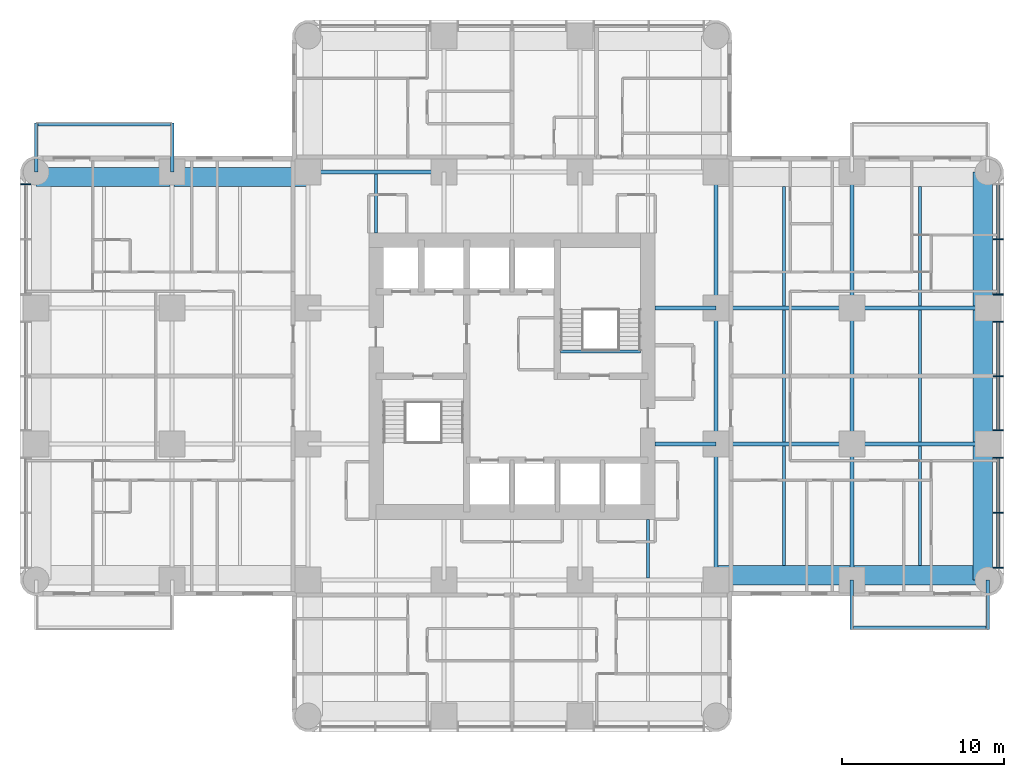
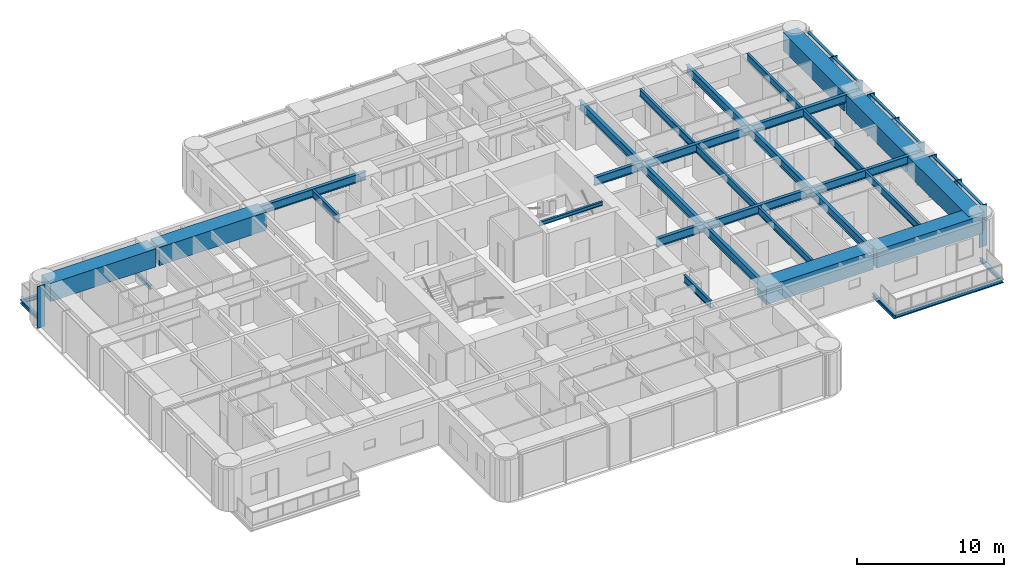
# One storey, part 3 of 15: 35 beams, 15 members, 2 elements without a shape of their own.
"""IFC4 building model written with IfcOpenShell, lengths in metres."""

from ifc_helpers import new_model, si_unit, direction, frame, origin, origin_2d, place, context, subcontext, project, spatial, rectangle, i_section, extrude, material, material_profile, profile_set, type_object, element, aggregate, save


model = new_model("IFC4")

# Units and contexts
model_context = context("Model", 3, precision=1e-05, world=origin(), true_north=direction((0.0, 1.0)))
body_context = subcontext(model_context, "Body", "Model", "MODEL_VIEW")
ifc_project = project(units=[si_unit("LENGTHUNIT", "METRE"), si_unit("AREAUNIT", "SQUARE_METRE"), si_unit("VOLUMEUNIT", "CUBIC_METRE"), si_unit("PLANEANGLEUNIT", "RADIAN"), si_unit("MASSUNIT", "GRAM", prefix="KILO")], contexts=[model_context])

# Site, building, storey
site_placement = place(None, origin())
site = spatial("IfcSite", under=ifc_project, at=site_placement, CompositionType="ELEMENT")
building_placement = place(site_placement, origin())
building = spatial("IfcBuilding", under=site, at=building_placement, Name="Torre Alcanfor", CompositionType="ELEMENT")
storey_placement = place(building_placement, frame((0.0, 0.0, 144.89990234375)))
storey = spatial("IfcBuildingStorey", under=building, at=storey_placement, Name="L37", CompositionType="ELEMENT", Elevation=144.89990234375)

# Beams
ifc_material_1 = material(Name="Steel ASTM A992 Grade 50", Category="steel")
ifc_material_profile_1 = material_profile(ifc_material_1, i_section(OverallWidth=0.205322265625, OverallDepth=0.309814453125, WebThickness=0.00927734375, FlangeThickness=0.016357421875, at=origin_2d()), Name="W12x50")
ifc_profile_set_1 = profile_set([ifc_material_profile_1], Name="Steel ASTM A992 Grade 50")
beam_type_1 = type_object("IfcBeamType", Name="Balcony cantilever beam W12x50", PredefinedType="BEAM", material=ifc_profile_set_1)
for number, where, z_axis, x_axis, name in (
    (1, (50.39990234375, 16.800048828125, -0.354736328125), (0.0, -1.0, 0.0), (1.0, 0.0, 0.0), "Balcony cantilever beam L37-E2 1"),
    (2, (58.800048828125, 16.800048828125, -0.354736328125), (0.0, -1.0, 0.0), (1.0, 0.0, 0.0), "Balcony cantilever beam L37-E2 2"),
    (3, (8.39990234375, 42.0, -0.354736328125), (0.0, 1.0, 0.0), (-1.0, 0.0, 0.0), "Balcony cantilever beam L37-W2 1"),
    (4, (0.0, 42.0, -0.354736328125), (0.0, 1.0, 0.0), (-1.0, 0.0, 0.0), "Balcony cantilever beam L37-W2 2"),
):
    element("IfcBeam", number, at=place(storey_placement, frame(where, z_axis=z_axis, x_axis=x_axis)), inside=storey, type_object=beam_type_1, Name=name, PredefinedType="BEAM", context=body_context, shape_type="SweptSolid", body=[
        extrude(i_section(OverallWidth=0.205322265625, OverallDepth=0.309814453125, WebThickness=0.00927734375, FlangeThickness=0.016357421875, at=origin_2d()), origin(), (0.0, 0.0, 1.0), 3.050048828125),
    ])
ifc_material_2 = material(Name="Steel ASTM A992 Grade 50", Category="steel")
ifc_material_profile_2 = material_profile(ifc_material_2, i_section(OverallWidth=0.203369140625, OverallDepth=0.30224609375, WebThickness=0.007568359375, FlangeThickness=0.01318359375, at=origin_2d()), Name="W12x40")
ifc_profile_set_2 = profile_set([ifc_material_profile_2], Name="Steel ASTM A992 Grade 50")
beam_type_2 = type_object("IfcBeamType", Name="Balcony edge trimmer W12x40", PredefinedType="BEAM", material=ifc_profile_set_2)
beam_1_placement = place(storey_placement, frame((50.39990234375, 13.851806640625, -0.35107421875), z_axis=(1.0, 0.0, 0.0), x_axis=(0.0, 1.0, 0.0)))
element("IfcBeam", 5, at=beam_1_placement, inside=storey, type_object=beam_type_2, Name="Balcony edge trimmer L37-E2", PredefinedType="BEAM", context=body_context, shape_type="SweptSolid", body=[
    extrude(i_section(OverallWidth=0.203369140625, OverallDepth=0.30224609375, WebThickness=0.007568359375, FlangeThickness=0.01318359375, at=origin_2d()), origin(), (0.0, 0.0, 1.0), 8.400146484375),
])
beam_2_placement = place(storey_placement, frame((8.39990234375, 44.9482421875, -0.35107421875), z_axis=(-1.0, 0.0, 0.0), x_axis=(0.0, -1.0, 0.0)))
element("IfcBeam", 6, at=beam_2_placement, inside=storey, type_object=beam_type_2, Name="Balcony edge trimmer L37-W2", PredefinedType="BEAM", context=body_context, shape_type="SweptSolid", body=[
    extrude(i_section(OverallWidth=0.203369140625, OverallDepth=0.30224609375, WebThickness=0.007568359375, FlangeThickness=0.01318359375, at=origin_2d()), origin(), (0.0, 0.0, 1.0), 8.39990234375),
])

# Curtain wall, member
ifc_material_3 = material(Name="Aluminium and glass", Category="aluminium")
curtain_wall_type = type_object("IfcCurtainWallType", Name="CW-A unitised apartment glazing with vertical FIN", PredefinedType="NOTDEFINED", material=ifc_material_3)
curtain_wall_1_placement = place(storey_placement, origin())
curtain_wall_1 = element("IfcCurtainWall", 7, at=curtain_wall_1_placement, inside=storey, type_object=curtain_wall_type, Name="Curtain wall CW-A L37 2", PredefinedType="NOTDEFINED")
ifc_material_4 = material(Name="Bronze anodised aluminium", Category="aluminium")
ifc_material_profile_3 = material_profile(ifc_material_4, rectangle(XDim=0.60009765625, YDim=0.06494140625, at=origin_2d()), Name="CW-A mullion 65x600")
ifc_profile_set_3 = profile_set([ifc_material_profile_3], Name="Bronze anodised aluminium")
member_type_1 = type_object("IfcMemberType", Name="CW-A mullion with vertical FIN 65x600", PredefinedType="MULLION", material=ifc_profile_set_3)
member_1_placement = place(storey_placement, frame((-0.64990234375, 41.24267578125, 0.0), z_axis=(0.0, 0.0, 1.0), x_axis=(1.0, 0.0, 0.0)))
member_1 = element("IfcMember", 8, at=member_1_placement, type_object=member_type_1, Name="CW-A mullion 1.1", PredefinedType="MULLION", context=body_context, shape_type="SweptSolid", body=[
    extrude(rectangle(XDim=0.60009765625, YDim=0.06494140625, at=origin_2d()), origin(), (0.0, 0.0, 1.0), 3.4501953125),
])
aggregate(curtain_wall_1, [member_1])

# Curtain wall, members
curtain_wall_2_placement = place(storey_placement, origin())
curtain_wall_2 = element("IfcCurtainWall", 9, at=curtain_wall_2_placement, inside=storey, type_object=curtain_wall_type, Name="Curtain wall CW-A L37 8", PredefinedType="NOTDEFINED")
member_2_placement = place(storey_placement, frame((59.449951171875, 17.557373046875, 0.0), z_axis=(0.0, 0.0, 1.0), x_axis=(-1.0, 0.0, 0.0)))
member_2 = element("IfcMember", 10, at=member_2_placement, type_object=member_type_1, Name="CW-A mullion 1.1", PredefinedType="MULLION", context=body_context, shape_type="SweptSolid", body=[
    extrude(rectangle(XDim=0.60009765625, YDim=0.06494140625, at=origin_2d()), origin(), (0.0, 0.0, 1.0), 3.4501953125),
])
member_3_placement = place(storey_placement, frame((59.449951171875, 20.9599609375, 0.0), z_axis=(0.0, 0.0, 1.0), x_axis=(-1.0, 0.0, 0.0)))
member_3 = element("IfcMember", 11, at=member_3_placement, type_object=member_type_1, Name="CW-A mullion 1.2", PredefinedType="MULLION", context=body_context, shape_type="SweptSolid", body=[
    extrude(rectangle(XDim=0.60009765625, YDim=0.06494140625, at=origin_2d()), origin(), (0.0, 0.0, 1.0), 3.4501953125),
])
member_4_placement = place(storey_placement, frame((59.449951171875, 24.362548828125, 0.0), z_axis=(0.0, 0.0, 1.0), x_axis=(-1.0, 0.0, 0.0)))
member_4 = element("IfcMember", 12, at=member_4_placement, type_object=member_type_1, Name="CW-A mullion 1.3", PredefinedType="MULLION", context=body_context, shape_type="SweptSolid", body=[
    extrude(rectangle(XDim=0.60009765625, YDim=0.06494140625, at=origin_2d()), origin(), (0.0, 0.0, 1.0), 3.4501953125),
])
member_5_placement = place(storey_placement, frame((59.449951171875, 26.03759765625, 0.0), z_axis=(0.0, 0.0, 1.0), x_axis=(-1.0, 0.0, 0.0)))
member_5 = element("IfcMember", 13, at=member_5_placement, type_object=member_type_1, Name="CW-A mullion 2.1", PredefinedType="MULLION", context=body_context, shape_type="SweptSolid", body=[
    extrude(rectangle(XDim=0.60009765625, YDim=0.06494140625, at=origin_2d()), origin(), (0.0, 0.0, 1.0), 3.4501953125),
])
member_6_placement = place(storey_placement, frame((59.449951171875, 29.39990234375, 0.0), z_axis=(0.0, 0.0, 1.0), x_axis=(-1.0, 0.0, 0.0)))
member_6 = element("IfcMember", 14, at=member_6_placement, type_object=member_type_1, Name="CW-A mullion 2.2", PredefinedType="MULLION", context=body_context, shape_type="SweptSolid", body=[
    extrude(rectangle(XDim=0.60009765625, YDim=0.06494140625, at=origin_2d()), origin(), (0.0, 0.0, 1.0), 3.4501953125),
])
member_7_placement = place(storey_placement, frame((59.449951171875, 32.762451171875, 0.0), z_axis=(0.0, 0.0, 1.0), x_axis=(-1.0, 0.0, 0.0)))
member_7 = element("IfcMember", 15, at=member_7_placement, type_object=member_type_1, Name="CW-A mullion 2.3", PredefinedType="MULLION", context=body_context, shape_type="SweptSolid", body=[
    extrude(rectangle(XDim=0.60009765625, YDim=0.06494140625, at=origin_2d()), origin(), (0.0, 0.0, 1.0), 3.4501953125),
])
member_8_placement = place(storey_placement, frame((59.449951171875, 34.4375, 0.0), z_axis=(0.0, 0.0, 1.0), x_axis=(-1.0, 0.0, 0.0)))
member_8 = element("IfcMember", 16, at=member_8_placement, type_object=member_type_1, Name="CW-A mullion 3.1", PredefinedType="MULLION", context=body_context, shape_type="SweptSolid", body=[
    extrude(rectangle(XDim=0.60009765625, YDim=0.06494140625, at=origin_2d()), origin(), (0.0, 0.0, 1.0), 3.4501953125),
])
member_9_placement = place(storey_placement, frame((59.449951171875, 37.840087890625, 0.0), z_axis=(0.0, 0.0, 1.0), x_axis=(-1.0, 0.0, 0.0)))
member_9 = element("IfcMember", 17, at=member_9_placement, type_object=member_type_1, Name="CW-A mullion 3.2", PredefinedType="MULLION", context=body_context, shape_type="SweptSolid", body=[
    extrude(rectangle(XDim=0.60009765625, YDim=0.06494140625, at=origin_2d()), origin(), (0.0, 0.0, 1.0), 3.4501953125),
])
ifc_material_5 = material(Name="Extruded aluminium", Category="aluminium")
ifc_material_profile_4 = material_profile(ifc_material_5, rectangle(XDim=0.199951171875, YDim=0.06494140625, at=origin_2d()), Name="CW-A transom 200x65")
ifc_profile_set_4 = profile_set([ifc_material_profile_4], Name="Extruded aluminium")
member_type_2 = type_object("IfcMemberType", Name="CW-A transom 65x200", PredefinedType="USERDEFINED", material=ifc_profile_set_4)
member_10_placement = place(storey_placement, frame((59.449951171875, 17.58984375, 3.41748046875), z_axis=(0.0, 1.0, 0.0), x_axis=(-1.0, 0.0, 0.0)))
member_10 = element("IfcMember", 18, at=member_10_placement, type_object=member_type_2, Name="CW-A transom 1.1.2", ObjectType="TRANSOM", PredefinedType="USERDEFINED", context=body_context, shape_type="SweptSolid", body=[
    extrude(rectangle(XDim=0.199951171875, YDim=0.06494140625, at=origin_2d()), origin(), (0.0, 0.0, 1.0), 3.337646484375),
])
member_11_placement = place(storey_placement, frame((59.449951171875, 20.992431640625, 3.41748046875), z_axis=(0.0, 1.0, 0.0), x_axis=(-1.0, 0.0, 0.0)))
member_11 = element("IfcMember", 19, at=member_11_placement, type_object=member_type_2, Name="CW-A transom 1.2.2", ObjectType="TRANSOM", PredefinedType="USERDEFINED", context=body_context, shape_type="SweptSolid", body=[
    extrude(rectangle(XDim=0.199951171875, YDim=0.06494140625, at=origin_2d()), origin(), (0.0, 0.0, 1.0), 3.337646484375),
])
member_12_placement = place(storey_placement, frame((59.449951171875, 26.070068359375, 3.41748046875), z_axis=(0.0, 1.0, 0.0), x_axis=(-1.0, 0.0, 0.0)))
member_12 = element("IfcMember", 20, at=member_12_placement, type_object=member_type_2, Name="CW-A transom 2.1.2", ObjectType="TRANSOM", PredefinedType="USERDEFINED", context=body_context, shape_type="SweptSolid", body=[
    extrude(rectangle(XDim=0.199951171875, YDim=0.06494140625, at=origin_2d()), origin(), (0.0, 0.0, 1.0), 3.29736328125),
])
member_13_placement = place(storey_placement, frame((59.449951171875, 29.4326171875, 3.41748046875), z_axis=(0.0, 1.0, 0.0), x_axis=(-1.0, 0.0, 0.0)))
member_13 = element("IfcMember", 21, at=member_13_placement, type_object=member_type_2, Name="CW-A transom 2.2.2", ObjectType="TRANSOM", PredefinedType="USERDEFINED", context=body_context, shape_type="SweptSolid", body=[
    extrude(rectangle(XDim=0.199951171875, YDim=0.06494140625, at=origin_2d()), origin(), (0.0, 0.0, 1.0), 3.29736328125),
])
member_14_placement = place(storey_placement, frame((59.449951171875, 34.469970703125, 3.41748046875), z_axis=(0.0, 1.0, 0.0), x_axis=(-1.0, 0.0, 0.0)))
member_14 = element("IfcMember", 22, at=member_14_placement, type_object=member_type_2, Name="CW-A transom 3.1.2", ObjectType="TRANSOM", PredefinedType="USERDEFINED", context=body_context, shape_type="SweptSolid", body=[
    extrude(rectangle(XDim=0.199951171875, YDim=0.06494140625, at=origin_2d()), origin(), (0.0, 0.0, 1.0), 3.337646484375),
])
member_15_placement = place(storey_placement, frame((59.449951171875, 37.87255859375, 3.41748046875), z_axis=(0.0, 1.0, 0.0), x_axis=(-1.0, 0.0, 0.0)))
member_15 = element("IfcMember", 23, at=member_15_placement, type_object=member_type_2, Name="CW-A transom 3.2.2", ObjectType="TRANSOM", PredefinedType="USERDEFINED", context=body_context, shape_type="SweptSolid", body=[
    extrude(rectangle(XDim=0.199951171875, YDim=0.06494140625, at=origin_2d()), origin(), (0.0, 0.0, 1.0), 3.337646484375),
])
aggregate(curtain_wall_2, [member_2, member_3, member_4, member_10, member_11, member_5, member_6, member_7, member_12, member_13, member_8, member_9, member_14, member_15])

# Beams
ifc_material_6 = material(Name="Steel ASTM A992 Grade 50", Category="steel")
ifc_material_profile_5 = material_profile(ifc_material_6, i_section(OverallWidth=0.25390625, OverallDepth=0.683349609375, WebThickness=0.012451171875, FlangeThickness=0.01904296875, at=origin_2d()), Name="W27x94")
ifc_profile_set_5 = profile_set([ifc_material_profile_5], Name="Steel ASTM A992 Grade 50")
beam_type_3 = type_object("IfcBeamType", Name="Girder W27x94", PredefinedType="BEAM", material=ifc_profile_set_5)
beam_3_placement = place(storey_placement, frame((42.0, 25.199951171875, 3.1083984375), z_axis=(1.0, 0.0, 0.0), x_axis=(0.0, 1.0, 0.0)))
element("IfcBeam", 24, at=beam_3_placement, inside=storey, type_object=beam_type_3, Name="Beam 6F-7F under L38", PredefinedType="BEAM", context=body_context, shape_type="SweptSolid", body=[
    extrude(i_section(OverallWidth=0.25390625, OverallDepth=0.683349609375, WebThickness=0.012451171875, FlangeThickness=0.01904296875, at=origin_2d()), origin(), (0.0, 0.0, 1.0), 8.39990234375),
])
beam_4_placement = place(storey_placement, frame((50.39990234375, 25.199951171875, 3.1083984375), z_axis=(1.0, 0.0, 0.0), x_axis=(0.0, 1.0, 0.0)))
element("IfcBeam", 25, at=beam_4_placement, inside=storey, type_object=beam_type_3, Name="Beam 7F-8F under L38", PredefinedType="BEAM", context=body_context, shape_type="SweptSolid", body=[
    extrude(i_section(OverallWidth=0.25390625, OverallDepth=0.683349609375, WebThickness=0.012451171875, FlangeThickness=0.01904296875, at=origin_2d()), origin(), (0.0, 0.0, 1.0), 8.400146484375),
])
beam_5_placement = place(storey_placement, frame((42.0, 33.60009765625, 3.1083984375), z_axis=(1.0, 0.0, 0.0), x_axis=(0.0, 1.0, 0.0)))
element("IfcBeam", 26, at=beam_5_placement, inside=storey, type_object=beam_type_3, Name="Beam 6G-7G under L38", PredefinedType="BEAM", context=body_context, shape_type="SweptSolid", body=[
    extrude(i_section(OverallWidth=0.25390625, OverallDepth=0.683349609375, WebThickness=0.012451171875, FlangeThickness=0.01904296875, at=origin_2d()), origin(), (0.0, 0.0, 1.0), 8.39990234375),
])
beam_6_placement = place(storey_placement, frame((50.39990234375, 33.60009765625, 3.1083984375), z_axis=(1.0, 0.0, 0.0), x_axis=(0.0, 1.0, 0.0)))
element("IfcBeam", 27, at=beam_6_placement, inside=storey, type_object=beam_type_3, Name="Beam 7G-8G under L38", PredefinedType="BEAM", context=body_context, shape_type="SweptSolid", body=[
    extrude(i_section(OverallWidth=0.25390625, OverallDepth=0.683349609375, WebThickness=0.012451171875, FlangeThickness=0.01904296875, at=origin_2d()), origin(), (0.0, 0.0, 1.0), 8.400146484375),
])
for number, where, z_axis, x_axis, name in (
    (28, (16.800048828125, 42.0, 3.1083984375), (1.0, 0.0, 0.0), (0.0, 1.0, 0.0), "Beam 3H-4H under L38"),
    (29, (42.0, 16.800048828125, 3.1083984375), (0.0, 1.0, 0.0), (-1.0, 0.0, 0.0), "Beam 6E-6F under L38"),
):
    element("IfcBeam", number, at=place(storey_placement, frame(where, z_axis=z_axis, x_axis=x_axis)), inside=storey, type_object=beam_type_3, Name=name, PredefinedType="BEAM", context=body_context, shape_type="SweptSolid", body=[
        extrude(i_section(OverallWidth=0.25390625, OverallDepth=0.683349609375, WebThickness=0.012451171875, FlangeThickness=0.01904296875, at=origin_2d()), origin(), (0.0, 0.0, 1.0), 8.39990234375),
    ])
beam_7_placement = place(storey_placement, frame((42.0, 25.199951171875, 3.1083984375), z_axis=(0.0, 1.0, 0.0), x_axis=(-1.0, 0.0, 0.0)))
element("IfcBeam", 30, at=beam_7_placement, inside=storey, type_object=beam_type_3, Name="Beam 6F-6G under L38", PredefinedType="BEAM", context=body_context, shape_type="SweptSolid", body=[
    extrude(i_section(OverallWidth=0.25390625, OverallDepth=0.683349609375, WebThickness=0.012451171875, FlangeThickness=0.01904296875, at=origin_2d()), origin(), (0.0, 0.0, 1.0), 8.400146484375),
])
for number, where, z_axis, x_axis, name in (
    (31, (42.0, 33.60009765625, 3.1083984375), (0.0, 1.0, 0.0), (-1.0, 0.0, 0.0), "Beam 6G-6H under L38"),
    (32, (50.39990234375, 16.800048828125, 3.1083984375), (0.0, 1.0, 0.0), (-1.0, 0.0, 0.0), "Beam 7E-7F under L38"),
):
    element("IfcBeam", number, at=place(storey_placement, frame(where, z_axis=z_axis, x_axis=x_axis)), inside=storey, type_object=beam_type_3, Name=name, PredefinedType="BEAM", context=body_context, shape_type="SweptSolid", body=[
        extrude(i_section(OverallWidth=0.25390625, OverallDepth=0.683349609375, WebThickness=0.012451171875, FlangeThickness=0.01904296875, at=origin_2d()), origin(), (0.0, 0.0, 1.0), 8.39990234375),
    ])
beam_8_placement = place(storey_placement, frame((50.39990234375, 25.199951171875, 3.1083984375), z_axis=(0.0, 1.0, 0.0), x_axis=(-1.0, 0.0, 0.0)))
element("IfcBeam", 33, at=beam_8_placement, inside=storey, type_object=beam_type_3, Name="Beam 7F-7G under L38", PredefinedType="BEAM", context=body_context, shape_type="SweptSolid", body=[
    extrude(i_section(OverallWidth=0.25390625, OverallDepth=0.683349609375, WebThickness=0.012451171875, FlangeThickness=0.01904296875, at=origin_2d()), origin(), (0.0, 0.0, 1.0), 8.400146484375),
])
beam_9_placement = place(storey_placement, frame((50.39990234375, 33.60009765625, 3.1083984375), z_axis=(0.0, 1.0, 0.0), x_axis=(-1.0, 0.0, 0.0)))
element("IfcBeam", 34, at=beam_9_placement, inside=storey, type_object=beam_type_3, Name="Beam 7G-7H under L38", PredefinedType="BEAM", context=body_context, shape_type="SweptSolid", body=[
    extrude(i_section(OverallWidth=0.25390625, OverallDepth=0.683349609375, WebThickness=0.012451171875, FlangeThickness=0.01904296875, at=origin_2d()), origin(), (0.0, 0.0, 1.0), 8.39990234375),
])
ifc_material_7 = material(Name="Steel ASTM A992 Grade 50", Category="steel")
ifc_material_profile_6 = material_profile(ifc_material_7, i_section(OverallWidth=0.25390625, OverallDepth=0.683349609375, WebThickness=0.012451171875, FlangeThickness=0.01904296875, at=origin_2d()), Name="W27x94")
ifc_profile_set_6 = profile_set([ifc_material_profile_6], Name="Steel ASTM A992 Grade 50")
beam_type_4 = type_object("IfcBeamType", Name="Girder, part bay W27x94", PredefinedType="BEAM", material=ifc_profile_set_6)
for number, where, z_axis, x_axis, name in (
    (35, (42.0, 25.199951171875, 3.1083984375), (-1.0, 0.0, 0.0), (0.0, -1.0, 0.0), "Beam 6F-38_25F under L38"),
    (36, (42.0, 33.60009765625, 3.1083984375), (-1.0, 0.0, 0.0), (0.0, -1.0, 0.0), "Beam 6G-38_25G under L38"),
):
    element("IfcBeam", number, at=place(storey_placement, frame(where, z_axis=z_axis, x_axis=x_axis)), inside=storey, type_object=beam_type_4, Name=name, PredefinedType="BEAM", context=body_context, shape_type="SweptSolid", body=[
        extrude(i_section(OverallWidth=0.25390625, OverallDepth=0.683349609375, WebThickness=0.012451171875, FlangeThickness=0.01904296875, at=origin_2d()), origin(), (0.0, 0.0, 1.0), 3.75),
    ])
ifc_material_8 = material(Name="Concrete f'c 70 MPa", Category="concrete")
ifc_material_profile_7 = material_profile(ifc_material_8, rectangle(XDim=1.199951171875, YDim=1.5, at=origin_2d()), Name="1200x1500")
ifc_profile_set_7 = profile_set([ifc_material_profile_7], Name="Concrete f'c 70 MPa")
beam_type_5 = type_object("IfcBeamType", Name="RC perimeter beam 1200x1500", PredefinedType="BEAM", material=ifc_profile_set_7)
beam_10_placement = place(storey_placement, frame((41.873046875, 17.10009765625, 2.7001953125), z_axis=(1.0, 0.0, 0.0), x_axis=(0.0, 1.0, 0.0)))
element("IfcBeam", 37, at=beam_10_placement, inside=storey, type_object=beam_type_5, Name="Beam 6E-7E under L38", PredefinedType="BEAM", context=body_context, shape_type="SweptSolid", body=[
    extrude(rectangle(XDim=1.199951171875, YDim=1.5, at=origin_2d()), origin(), (0.0, 0.0, 1.0), 8.39990234375),
])
for number, where, z_axis, x_axis, name in (
    (38, (50.527099609375, 17.10009765625, 2.7001953125), (1.0, 0.0, 0.0), (0.0, 1.0, 0.0), "Beam 7E-8E under L38"),
    (39, (0.0, 41.699951171875, 2.7001953125), (1.0, 0.0, 0.0), (0.0, 1.0, 0.0), "Beam 1H-2H under L38"),
):
    element("IfcBeam", number, at=place(storey_placement, frame(where, z_axis=z_axis, x_axis=x_axis)), inside=storey, type_object=beam_type_5, Name=name, PredefinedType="BEAM", context=body_context, shape_type="SweptSolid", body=[
        extrude(rectangle(XDim=1.199951171875, YDim=1.5, at=origin_2d()), origin(), (0.0, 0.0, 1.0), 8.27294921875),
    ])
beam_11_placement = place(storey_placement, frame((8.527099609375, 41.699951171875, 2.7001953125), z_axis=(1.0, 0.0, 0.0), x_axis=(0.0, 1.0, 0.0)))
element("IfcBeam", 40, at=beam_11_placement, inside=storey, type_object=beam_type_5, Name="Beam 2H-3H under L38", PredefinedType="BEAM", context=body_context, shape_type="SweptSolid", body=[
    extrude(rectangle(XDim=1.199951171875, YDim=1.5, at=origin_2d()), origin(), (0.0, 0.0, 1.0), 8.39990234375),
])
beam_12_placement = place(storey_placement, frame((58.5, 16.800048828125, 2.7001953125), z_axis=(0.0, 1.0, 0.0), x_axis=(-1.0, 0.0, 0.0)))
element("IfcBeam", 41, at=beam_12_placement, inside=storey, type_object=beam_type_5, Name="Beam 8E-8F under L38", PredefinedType="BEAM", context=body_context, shape_type="SweptSolid", body=[
    extrude(rectangle(XDim=1.199951171875, YDim=1.5, at=origin_2d()), origin(), (0.0, 0.0, 1.0), 8.27294921875),
])
beam_13_placement = place(storey_placement, frame((58.5, 25.326904296875, 2.7001953125), z_axis=(0.0, 1.0, 0.0), x_axis=(-1.0, 0.0, 0.0)))
element("IfcBeam", 42, at=beam_13_placement, inside=storey, type_object=beam_type_5, Name="Beam 8F-8G under L38", PredefinedType="BEAM", context=body_context, shape_type="SweptSolid", body=[
    extrude(rectangle(XDim=1.199951171875, YDim=1.5, at=origin_2d()), origin(), (0.0, 0.0, 1.0), 8.14599609375),
])
beam_14_placement = place(storey_placement, frame((58.5, 33.72705078125, 2.7001953125), z_axis=(0.0, 1.0, 0.0), x_axis=(-1.0, 0.0, 0.0)))
element("IfcBeam", 43, at=beam_14_placement, inside=storey, type_object=beam_type_5, Name="Beam 8G-8H under L38", PredefinedType="BEAM", context=body_context, shape_type="SweptSolid", body=[
    extrude(rectangle(XDim=1.199951171875, YDim=1.5, at=origin_2d()), origin(), (0.0, 0.0, 1.0), 8.27294921875),
])
ifc_material_9 = material(Name="Steel ASTM A992 Grade 50", Category="steel")
ifc_material_profile_8 = material_profile(ifc_material_9, i_section(OverallWidth=0.1787109375, OverallDepth=0.60205078125, WebThickness=0.010986328125, FlangeThickness=0.014892578125, at=origin_2d()), Name="W24x62")
ifc_profile_set_8 = profile_set([ifc_material_profile_8], Name="Steel ASTM A992 Grade 50")
beam_type_6 = type_object("IfcBeamType", Name="Secondary beam W24x62", PredefinedType="BEAM", material=ifc_profile_set_8)
beam_15_placement = place(storey_placement, frame((46.199951171875, 17.699951171875, 3.149169921875), z_axis=(0.0, 1.0, 0.0), x_axis=(-1.0, 0.0, 0.0)))
element("IfcBeam", 44, at=beam_15_placement, inside=storey, type_object=beam_type_6, Name="Beam 46_2E-46_2F under L38", PredefinedType="BEAM", context=body_context, shape_type="SweptSolid", body=[
    extrude(i_section(OverallWidth=0.1787109375, OverallDepth=0.60205078125, WebThickness=0.010986328125, FlangeThickness=0.014892578125, at=origin_2d()), origin(), (0.0, 0.0, 1.0), 7.373046875),
])
beam_16_placement = place(storey_placement, frame((46.199951171875, 25.326904296875, 3.149169921875), z_axis=(0.0, 1.0, 0.0), x_axis=(-1.0, 0.0, 0.0)))
element("IfcBeam", 45, at=beam_16_placement, inside=storey, type_object=beam_type_6, Name="Beam 46_2F-46_2G under L38", PredefinedType="BEAM", context=body_context, shape_type="SweptSolid", body=[
    extrude(i_section(OverallWidth=0.1787109375, OverallDepth=0.60205078125, WebThickness=0.010986328125, FlangeThickness=0.014892578125, at=origin_2d()), origin(), (0.0, 0.0, 1.0), 8.14599609375),
])
for number, where, z_axis, x_axis, name in (
    (46, (46.199951171875, 33.72705078125, 3.149169921875), (0.0, 1.0, 0.0), (-1.0, 0.0, 0.0), "Beam 46_2G-46_2H under L38"),
    (47, (54.60009765625, 17.699951171875, 3.149169921875), (0.0, 1.0, 0.0), (-1.0, 0.0, 0.0), "Beam 54_6E-54_6F under L38"),
):
    element("IfcBeam", number, at=place(storey_placement, frame(where, z_axis=z_axis, x_axis=x_axis)), inside=storey, type_object=beam_type_6, Name=name, PredefinedType="BEAM", context=body_context, shape_type="SweptSolid", body=[
        extrude(i_section(OverallWidth=0.1787109375, OverallDepth=0.60205078125, WebThickness=0.010986328125, FlangeThickness=0.014892578125, at=origin_2d()), origin(), (0.0, 0.0, 1.0), 7.373046875),
    ])
beam_17_placement = place(storey_placement, frame((54.60009765625, 25.326904296875, 3.149169921875), z_axis=(0.0, 1.0, 0.0), x_axis=(-1.0, 0.0, 0.0)))
element("IfcBeam", 48, at=beam_17_placement, inside=storey, type_object=beam_type_6, Name="Beam 54_6F-54_6G under L38", PredefinedType="BEAM", context=body_context, shape_type="SweptSolid", body=[
    extrude(i_section(OverallWidth=0.1787109375, OverallDepth=0.60205078125, WebThickness=0.010986328125, FlangeThickness=0.014892578125, at=origin_2d()), origin(), (0.0, 0.0, 1.0), 8.14599609375),
])
beam_18_placement = place(storey_placement, frame((54.60009765625, 33.72705078125, 3.149169921875), z_axis=(0.0, 1.0, 0.0), x_axis=(-1.0, 0.0, 0.0)))
element("IfcBeam", 49, at=beam_18_placement, inside=storey, type_object=beam_type_6, Name="Beam 54_6G-54_6H under L38", PredefinedType="BEAM", context=body_context, shape_type="SweptSolid", body=[
    extrude(i_section(OverallWidth=0.1787109375, OverallDepth=0.60205078125, WebThickness=0.010986328125, FlangeThickness=0.014892578125, at=origin_2d()), origin(), (0.0, 0.0, 1.0), 7.373046875),
])
ifc_material_10 = material(Name="Steel ASTM A992 Grade 50", Category="steel")
ifc_material_profile_9 = material_profile(ifc_material_10, i_section(OverallWidth=0.1787109375, OverallDepth=0.60205078125, WebThickness=0.010986328125, FlangeThickness=0.014892578125, at=origin_2d()), Name="W24x62")
ifc_profile_set_9 = profile_set([ifc_material_profile_9], Name="Steel ASTM A992 Grade 50")
beam_type_7 = type_object("IfcBeamType", Name="Secondary beam, part bay W24x62", PredefinedType="BEAM", material=ifc_profile_set_9)
for number, where, z_axis, x_axis, name in (
    (50, (21.0, 38.25, 3.149169921875), (0.0, 1.0, 0.0), (-1.0, 0.0, 0.0), "Beam 2138_25-21H under L38"),
    (51, (37.800048828125, 16.927001953125, 3.149169921875), (0.0, 1.0, 0.0), (-1.0, 0.0, 0.0), "Beam 37_8E-37_820_55 under L38"),
):
    element("IfcBeam", number, at=place(storey_placement, frame(where, z_axis=z_axis, x_axis=x_axis)), inside=storey, type_object=beam_type_7, Name=name, PredefinedType="BEAM", context=body_context, shape_type="SweptSolid", body=[
        extrude(i_section(OverallWidth=0.1787109375, OverallDepth=0.60205078125, WebThickness=0.010986328125, FlangeThickness=0.014892578125, at=origin_2d()), origin(), (0.0, 0.0, 1.0), 3.623046875),
    ])
ifc_material_11 = material(Name="Steel ASTM A992 Grade 50", Category="steel")
ifc_material_profile_10 = material_profile(ifc_material_11, i_section(OverallWidth=0.164794921875, OverallDepth=0.309814453125, WebThickness=0.005859375, FlangeThickness=0.009765625, at=origin_2d()), Name="W12x26")
ifc_profile_set_10 = profile_set([ifc_material_profile_10], Name="Steel ASTM A992 Grade 50")
beam_type_8 = type_object("IfcBeamType", Name="Stair landing beam W12x26", PredefinedType="BEAM", material=ifc_profile_set_10)
beam_19_placement = place(storey_placement, frame((32.39990234375, 30.91259765625, 3.2451171875), z_axis=(1.0, 0.0, 0.0), x_axis=(0.0, 1.0, 0.0)))
element("IfcBeam", 52, at=beam_19_placement, inside=storey, type_object=beam_type_8, Name="Landing trimmer S2 L38", PredefinedType="BEAM", context=body_context, shape_type="SweptSolid", body=[
    extrude(i_section(OverallWidth=0.164794921875, OverallDepth=0.309814453125, WebThickness=0.005859375, FlangeThickness=0.009765625, at=origin_2d()), origin(), (0.0, 0.0, 1.0), 4.9501953125),
])

save(model, "model.ifc")
